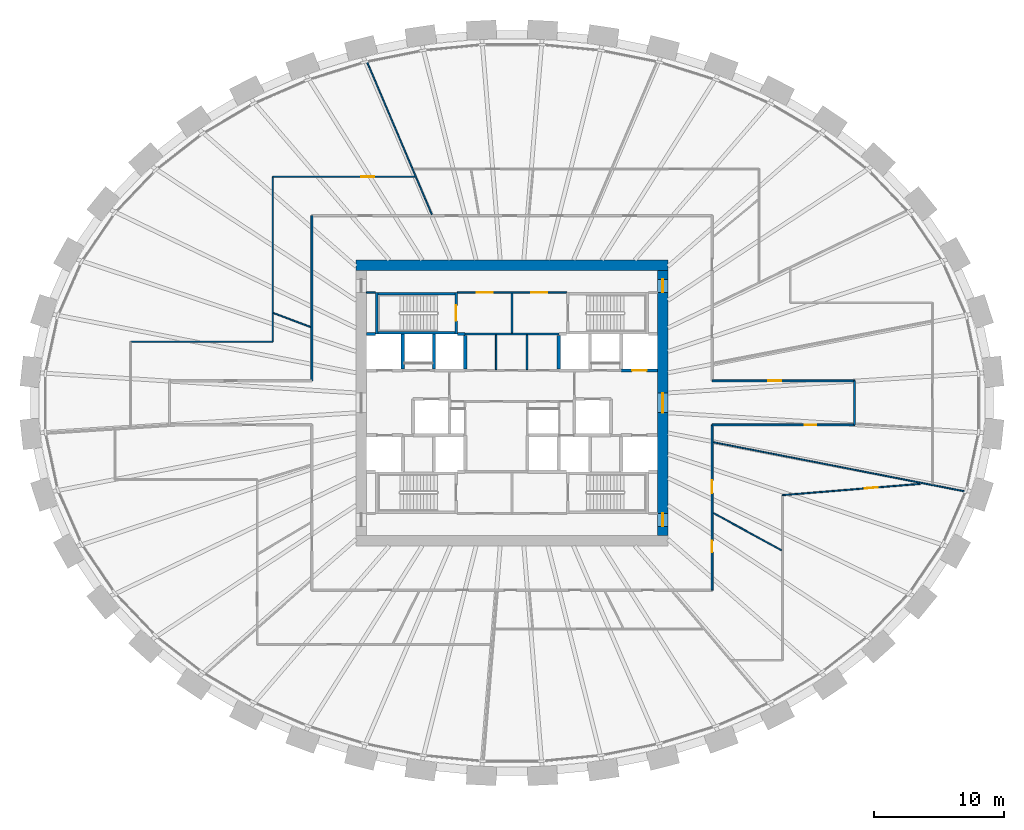
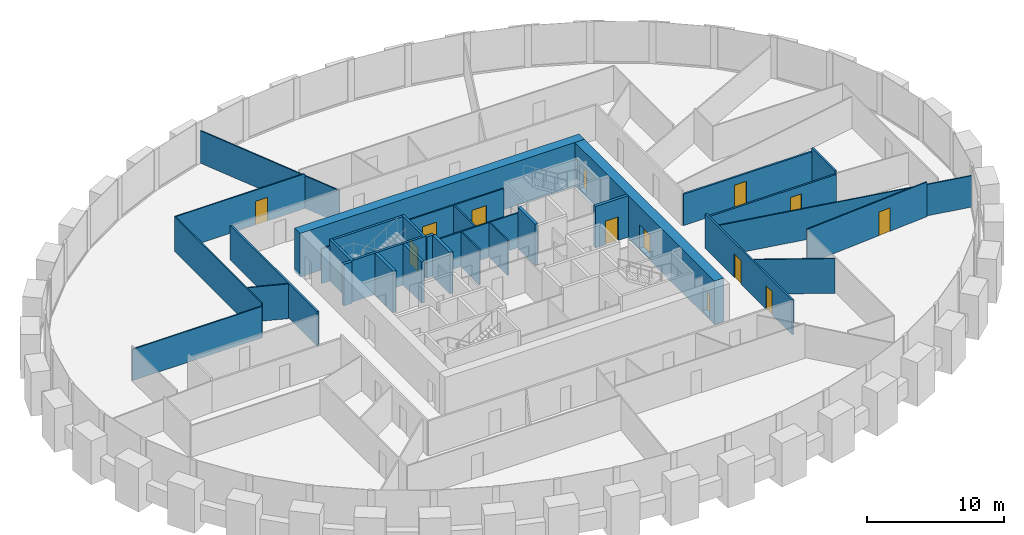
# One storey, part 8 of 10: 32 walls, 13 doors, 13 openings.
"""IFC4 building model written with IfcOpenShell, lengths in metres."""

from ifc_helpers import new_model, si_unit, direction, frame, frame_2d, origin, place, context, subcontext, project, spatial, rectangle, extrude, source, transform, mapped, material, layer, layer_set, type_object, element, fill, save


model = new_model("IFC4")

# Units and contexts
model_context = context("Model", 3, precision=1e-05, world=origin(), true_north=direction((0.0, 1.0)))
body_context = subcontext(model_context, "Body", "Model", "MODEL_VIEW")
ifc_project = project(units=[si_unit("LENGTHUNIT", "METRE"), si_unit("AREAUNIT", "SQUARE_METRE"), si_unit("VOLUMEUNIT", "CUBIC_METRE"), si_unit("PLANEANGLEUNIT", "RADIAN"), si_unit("MASSUNIT", "GRAM", prefix="KILO")], contexts=[model_context])

# Site, building, storey
site_placement = place(None, origin())
site = spatial("IfcSite", under=ifc_project, at=site_placement, CompositionType="ELEMENT")
building_placement = place(site_placement, origin())
building = spatial("IfcBuilding", under=site, at=building_placement, Name="Embergate Tower", CompositionType="ELEMENT")
storey_placement = place(building_placement, frame((0.0, 0.0, 179.39990234375)))
storey = spatial("IfcBuildingStorey", under=building, at=storey_placement, Name="L40", CompositionType="ELEMENT", Elevation=179.39990234375)

# Wall
ifc_material_1 = material(Name="Concrete C70", Category="concrete")
ifc_layer_1 = layer(ifc_material_1, 0.800048828125)
ifc_layer_set_1 = layer_set([ifc_layer_1], Name="Concrete C70")
wall_type_1 = type_object("IfcWallType", Name="Core outer wall C70 800", PredefinedType="SHEAR", material=ifc_layer_set_1)
shared_shape_1 = source(origin(), body_context, "Body", "SweptSolid", [
    extrude(rectangle(XDim=24.0, YDim=0.800048828125, at=frame_2d((12.0, 0.0))), origin(), (0.0, 0.0, 1.0), 3.900146484375),
])
wall_1_placement = place(storey_placement, frame((-12.0, 10.60009765625, -0.199951171875), z_axis=(0.0, 0.0, 1.0), x_axis=(1.0, 0.0, 0.0)))
element("IfcWall", 1, at=wall_1_placement, inside=storey, type_object=wall_type_1, Name="CW-L40-N", PredefinedType="SHEAR", context=body_context, shape_type="MappedRepresentation", body=[
    mapped(shared_shape_1, transform((0.0, 0.0, 0.0))),
])

# Wall, openings, doors
shared_shape_2 = source(origin(), body_context, "Body", "SweptSolid", [
    extrude(rectangle(XDim=20.39990234375, YDim=0.800048828125, at=frame_2d((10.199951171875, 0.0))), origin(), (0.0, 0.0, 1.0), 3.900146484375),
])
wall_2_placement = place(storey_placement, frame((11.60009765625, -10.199951171875, -0.199951171875), z_axis=(0.0, 0.0, 1.0), x_axis=(0.0, 1.0, 0.0)))
wall_2 = element("IfcWall", 2, at=wall_2_placement, inside=storey, type_object=wall_type_1, Name="CW-L40-E", PredefinedType="SHEAR", context=body_context, shape_type="MappedRepresentation", body=[
    mapped(shared_shape_2, transform((0.0, 0.0, 0.0))),
])
shared_shape_3 = source(origin(), body_context, "Body", "SweptSolid", [
    extrude(rectangle(XDim=1.0, YDim=2.10009765625, at=frame_2d((0.5, 1.050048828125))), frame((0.0, 0.409912109375, 0.0), z_axis=(0.0, -1.0, 0.0), x_axis=(1.0, 0.0, 0.0)), (0.0, 0.0, 1.0), 0.820068359375),
])
opening_1_placement = place(wall_2_placement, frame((18.699951171875, 0.0, 0.199951171875)))
opening_1 = element("IfcOpeningElement", 3, at=opening_1_placement, cuts=wall_2, Name="Opening IF-1d", PredefinedType="OPENING", context=body_context, shape_type="MappedRepresentation", body=[
    mapped(shared_shape_3, transform((0.0, 0.0, 0.0))),
])
opening_2_placement = place(wall_2_placement, frame((0.699951171875, 0.0, 0.199951171875)))
opening_2 = element("IfcOpeningElement", 4, at=opening_2_placement, cuts=wall_2, Name="Opening IF-1d", PredefinedType="OPENING", context=body_context, shape_type="MappedRepresentation", body=[
    mapped(shared_shape_3, transform((0.0, 0.0, 0.0))),
])
shared_shape_4 = source(origin(), body_context, "Body", "SweptSolid", [
    extrude(rectangle(XDim=1.5, YDim=2.10009765625, at=frame_2d((0.75, 1.050048828125))), frame((0.0, 0.409912109375, 0.0), z_axis=(0.0, -1.0, 0.0), x_axis=(1.0, 0.0, 0.0)), (0.0, 0.0, 1.0), 0.820068359375),
])
opening_3_placement = place(wall_2_placement, frame((9.449951171875, 0.0, 0.199951171875)))
opening_3 = element("IfcOpeningElement", 5, at=opening_3_placement, cuts=wall_2, Name="Opening IF-3", PredefinedType="OPENING", context=body_context, shape_type="MappedRepresentation", body=[
    mapped(shared_shape_4, transform((0.0, 0.0, 0.0))),
])
ifc_material_2 = material(Name="Lobby fire door pair 1500")
door_type_1 = type_object("IfcDoorType", Name="Lobby fire door pair 1500", OperationType="DOUBLE_DOOR_SINGLE_SWING", PredefinedType="DOOR", material=ifc_material_2)
shared_shape_5 = source(origin(), body_context, "Body", "SweptSolid", [
    extrude(rectangle(XDim=1.5, YDim=2.10009765625, at=frame_2d((0.75, 1.050048828125))), frame((0.0, 0.02490234375, 0.0), z_axis=(0.0, -1.0, 0.0), x_axis=(1.0, 0.0, 0.0)), (0.0, 0.0, 1.0), 0.050048828125),
])
door_1_placement = place(opening_3_placement, origin())
door_1 = element("IfcDoor", 6, at=door_1_placement, inside=storey, type_object=door_type_1, Name="IF-3 door", OperationType="DOUBLE_DOOR_SINGLE_SWING", OverallHeight=2.10009765625, OverallWidth=1.5, PredefinedType="DOOR", context=body_context, shape_type="MappedRepresentation", body=[
    mapped(shared_shape_5, transform((0.0, 0.0, 0.0))),
])
fill(opening_3, door_1)
ifc_material_3 = material(Name="Escape fire door 1000")
door_type_2 = type_object("IfcDoorType", Name="Escape fire door 1000", OperationType="SINGLE_SWING_LEFT", PredefinedType="DOOR", material=ifc_material_3)
shared_shape_6 = source(origin(), body_context, "Body", "SweptSolid", [
    extrude(rectangle(XDim=1.0, YDim=2.10009765625, at=frame_2d((0.5, 1.050048828125))), frame((0.0, 0.02490234375, 0.0), z_axis=(0.0, -1.0, 0.0), x_axis=(1.0, 0.0, 0.0)), (0.0, 0.0, 1.0), 0.050048828125),
])
door_2_placement = place(opening_1_placement, origin())
door_2 = element("IfcDoor", 7, at=door_2_placement, inside=storey, type_object=door_type_2, Name="IF-1 door", OperationType="SINGLE_SWING_LEFT", OverallHeight=2.10009765625, OverallWidth=1.0, PredefinedType="DOOR", context=body_context, shape_type="MappedRepresentation", body=[
    mapped(shared_shape_6, transform((0.0, 0.0, 0.0))),
])
fill(opening_1, door_2)
door_3_placement = place(opening_2_placement, origin())
door_3 = element("IfcDoor", 8, at=door_3_placement, inside=storey, type_object=door_type_2, Name="IF-1 door", OperationType="SINGLE_SWING_LEFT", OverallHeight=2.10009765625, OverallWidth=1.0, PredefinedType="DOOR", context=body_context, shape_type="MappedRepresentation", body=[
    mapped(shared_shape_6, transform((0.0, 0.0, 0.0))),
])
fill(opening_2, door_3)

ifc_material_4 = material(Name="Core partition blockwork 120")
ifc_layer_2 = layer(ifc_material_4, 0.1201171875)
ifc_layer_set_2 = layer_set([ifc_layer_2], Name="Core partition blockwork 120")
wall_type_2 = type_object("IfcWallType", Name="Core partition blockwork 120", PredefinedType="PARTITIONING", material=ifc_layer_set_2)
shared_shape_7 = source(origin(), body_context, "Body", "SweptSolid", [
    extrude(rectangle(XDim=8.39990234375, YDim=0.1201171875, at=frame_2d((4.199951171875, 0.0))), origin(), (0.0, 0.0, 1.0), 3.10009765625),
])
wall_3_placement = place(storey_placement, frame((4.199951171875, 8.5, 0.0), z_axis=(0.0, 0.0, 1.0), x_axis=(-1.0, 0.0, 0.0)))
wall_3 = element("IfcWall", 9, at=wall_3_placement, inside=storey, type_object=wall_type_2, Name="IP-3 wall", PredefinedType="PARTITIONING", context=body_context, shape_type="MappedRepresentation", body=[
    mapped(shared_shape_7, transform((0.0, 0.0, 0.0))),
])
shared_shape_8 = source(origin(), body_context, "Body", "SweptSolid", [
    extrude(rectangle(XDim=1.199951171875, YDim=2.10009765625, at=frame_2d((0.60009765625, 1.050048828125))), frame((0.0, 0.070068359375, 0.0), z_axis=(0.0, -1.0, 0.0), x_axis=(1.0, 0.0, 0.0)), (0.0, 0.0, 1.0), 0.14013671875),
])
opening_4_placement = place(wall_3_placement, frame((5.699951171875, 0.0, 0.0)))
opening_4 = element("IfcOpeningElement", 10, at=opening_4_placement, cuts=wall_3, Name="Opening IF-3f", PredefinedType="OPENING", context=body_context, shape_type="MappedRepresentation", body=[
    mapped(shared_shape_8, transform((0.0, 0.0, 0.0))),
])
opening_5_placement = place(wall_3_placement, frame((1.5, 0.0, 0.0)))
opening_5 = element("IfcOpeningElement", 11, at=opening_5_placement, cuts=wall_3, Name="Opening IF-3f", PredefinedType="OPENING", context=body_context, shape_type="MappedRepresentation", body=[
    mapped(shared_shape_8, transform((0.0, 0.0, 0.0))),
])
ifc_material_5 = material(Name="Lobby fire door pair 1200")
door_type_3 = type_object("IfcDoorType", Name="Lobby fire door pair 1200", OperationType="DOUBLE_DOOR_SINGLE_SWING", PredefinedType="DOOR", material=ifc_material_5)
shared_shape_9 = source(origin(), body_context, "Body", "SweptSolid", [
    extrude(rectangle(XDim=1.199951171875, YDim=2.10009765625, at=frame_2d((0.60009765625, 1.050048828125))), frame((0.0, 0.02490234375, 0.0), z_axis=(0.0, -1.0, 0.0), x_axis=(1.0, 0.0, 0.0)), (0.0, 0.0, 1.0), 0.050048828125),
])
door_4_placement = place(opening_4_placement, origin())
door_4 = element("IfcDoor", 12, at=door_4_placement, inside=storey, type_object=door_type_3, Name="IF-3 door", OperationType="DOUBLE_DOOR_SINGLE_SWING", OverallHeight=2.10009765625, OverallWidth=1.199951171875, PredefinedType="DOOR", context=body_context, shape_type="MappedRepresentation", body=[
    mapped(shared_shape_9, transform((0.0, 0.0, 0.0))),
])
fill(opening_4, door_4)
door_5_placement = place(opening_5_placement, origin())
door_5 = element("IfcDoor", 13, at=door_5_placement, inside=storey, type_object=door_type_3, Name="IF-3 door", OperationType="DOUBLE_DOOR_SINGLE_SWING", OverallHeight=2.10009765625, OverallWidth=1.199951171875, PredefinedType="DOOR", context=body_context, shape_type="MappedRepresentation", body=[
    mapped(shared_shape_9, transform((0.0, 0.0, 0.0))),
])
fill(opening_5, door_5)

# Walls
shared_shape_10 = source(origin(), body_context, "Body", "SweptSolid", [
    extrude(rectangle(XDim=2.679931640625, YDim=0.1201171875, at=frame_2d((1.33984375, 0.0))), origin(), (0.0, 0.0, 1.0), 3.10009765625),
])
for number, where, z_axis, x_axis, name in (
    (14, (-1.22412109375, 2.56005859375, 0.0), (0.0, 0.0, 1.0), (0.0, 1.0, 0.0), "IP-3 wall"),
    (15, (1.152099609375, 2.56005859375, 0.0), (0.0, 0.0, 1.0), (0.0, 1.0, 0.0), "IP-3 wall"),
):
    element("IfcWall", number, at=place(storey_placement, frame(where, z_axis=z_axis, x_axis=x_axis)), inside=storey, type_object=wall_type_2, Name=name, PredefinedType="PARTITIONING", context=body_context, shape_type="MappedRepresentation", body=[
        mapped(shared_shape_10, transform((0.0, 0.0, 0.0))),
    ])
ifc_material_6 = material(Name="Concrete C50", Category="concrete")
ifc_layer_3 = layer(ifc_material_6, 0.25)
ifc_layer_set_3 = layer_set([ifc_layer_3], Name="Concrete C50")
wall_type_3 = type_object("IfcWallType", Name="Hoistway wall reinforced concrete 250", PredefinedType="SHEAR", material=ifc_layer_set_3)
shared_shape_11 = source(origin(), body_context, "Body", "SweptSolid", [
    extrude(rectangle(XDim=2.675048828125, YDim=0.25, at=frame_2d((1.33740234375, 0.0))), origin(), (0.0, 0.0, 1.0), 3.7001953125),
])
for number, where, z_axis, x_axis, name in (
    (16, (-8.39990234375, 2.625, 0.0), (0.0, 0.0, 1.0), (0.0, 1.0, 0.0), "HW-1 wall"),
    (17, (-6.0, 2.625, 0.0), (0.0, 0.0, 1.0), (0.0, 1.0, 0.0), "HW-1 wall"),
):
    element("IfcWall", number, at=place(storey_placement, frame(where, z_axis=z_axis, x_axis=x_axis)), inside=storey, type_object=wall_type_3, Name=name, PredefinedType="SHEAR", context=body_context, shape_type="MappedRepresentation", body=[
        mapped(shared_shape_11, transform((0.0, 0.0, 0.0))),
    ])
ifc_layer_4 = layer(ifc_material_6, 0.199951171875)
ifc_layer_set_4 = layer_set([ifc_layer_4], Name="Concrete C50")
wall_type_4 = type_object("IfcWallType", Name="Stair enclosure wall reinforced concrete 250", PredefinedType="SHEAR", material=ifc_layer_set_4)
shared_shape_12 = source(origin(), body_context, "Body", "SweptSolid", [
    extrude(rectangle(XDim=6.300048828125, YDim=0.199951171875, at=frame_2d((3.14990234375, 0.0))), origin(), (0.0, 0.0, 1.0), 3.7001953125),
])
for number, where, z_axis, x_axis, name in (
    (18, (-4.199951171875, 5.39990234375, 0.0), (0.0, 0.0, 1.0), (-1.0, 0.0, 0.0), "SE-1 wall"),
    (19, (-4.199951171875, 8.39990234375, 0.0), (0.0, 0.0, 1.0), (-1.0, 0.0, 0.0), "SE-1 wall"),
):
    element("IfcWall", number, at=place(storey_placement, frame(where, z_axis=z_axis, x_axis=x_axis)), inside=storey, type_object=wall_type_4, Name=name, PredefinedType="SHEAR", context=body_context, shape_type="MappedRepresentation", body=[
        mapped(shared_shape_12, transform((0.0, 0.0, 0.0))),
    ])
shared_shape_13 = source(origin(), body_context, "Body", "SweptSolid", [
    extrude(rectangle(XDim=2.550048828125, YDim=0.25, at=frame_2d((1.27490234375, 0.0))), origin(), (0.0, 0.0, 1.0), 3.7001953125),
])
for number, where, z_axis, x_axis, name in (
    (20, (-3.60009765625, 2.625, 0.0), (0.0, 0.0, 1.0), (0.0, 1.0, 0.0), "HW-1 wall"),
    (21, (3.60009765625, 5.175048828125, 0.0), (0.0, 0.0, 1.0), (0.0, -1.0, 0.0), "HW-1 wall"),
):
    element("IfcWall", number, at=place(storey_placement, frame(where, z_axis=z_axis, x_axis=x_axis)), inside=storey, type_object=wall_type_3, Name=name, PredefinedType="SHEAR", context=body_context, shape_type="MappedRepresentation", body=[
        mapped(shared_shape_13, transform((0.0, 0.0, 0.0))),
    ])

# Wall, opening, door
shared_shape_14 = source(origin(), body_context, "Body", "SweptSolid", [
    extrude(rectangle(XDim=3.199951171875, YDim=0.199951171875, at=frame_2d((1.60009765625, 0.0))), origin(), (0.0, 0.0, 1.0), 3.7001953125),
])
wall_4_placement = place(storey_placement, frame((-4.300048828125, 5.300048828125, 0.0), z_axis=(0.0, 0.0, 1.0), x_axis=(0.0, 1.0, 0.0)))
wall_4 = element("IfcWall", 22, at=wall_4_placement, inside=storey, type_object=wall_type_4, Name="SE-1 wall", PredefinedType="SHEAR", context=body_context, shape_type="MappedRepresentation", body=[
    mapped(shared_shape_14, transform((0.0, 0.0, 0.0))),
])
shared_shape_15 = source(origin(), body_context, "Body", "SweptSolid", [
    extrude(rectangle(XDim=1.199951171875, YDim=2.10009765625, at=frame_2d((0.60009765625, 1.050048828125))), frame((0.0, 0.10986328125, 0.0), z_axis=(0.0, -1.0, 0.0), x_axis=(1.0, 0.0, 0.0)), (0.0, 0.0, 1.0), 0.219970703125),
])
opening_6_placement = place(wall_4_placement, frame((1.0, 0.0, 0.0)))
opening_6 = element("IfcOpeningElement", 23, at=opening_6_placement, cuts=wall_4, Name="Opening IF-2", PredefinedType="OPENING", context=body_context, shape_type="MappedRepresentation", body=[
    mapped(shared_shape_15, transform((0.0, 0.0, 0.0))),
])
ifc_material_7 = material(Name="Stair enclosure door 1200")
door_type_4 = type_object("IfcDoorType", Name="Stair enclosure door 1200", OperationType="SINGLE_SWING_LEFT", PredefinedType="DOOR", material=ifc_material_7)
door_6_placement = place(opening_6_placement, origin())
door_6 = element("IfcDoor", 24, at=door_6_placement, inside=storey, type_object=door_type_4, Name="IF-2 door", OperationType="SINGLE_SWING_RIGHT", OverallHeight=2.10009765625, OverallWidth=1.199951171875, PredefinedType="DOOR", context=body_context, shape_type="MappedRepresentation", body=[
    mapped(shared_shape_9, transform((0.0, 0.0, 0.0))),
])
fill(opening_6, door_6)

# Walls
shared_shape_16 = source(origin(), body_context, "Body", "SweptSolid", [
    extrude(rectangle(XDim=7.2001953125, YDim=0.1201171875, at=frame_2d((3.60009765625, 0.0))), origin(), (0.0, 0.0, 1.0), 3.10009765625),
])
wall_5_placement = place(storey_placement, frame((-3.60009765625, 5.300048828125, 0.0), z_axis=(0.0, 0.0, 1.0), x_axis=(1.0, 0.0, 0.0)))
element("IfcWall", 25, at=wall_5_placement, inside=storey, type_object=wall_type_2, Name="IP-3 wall", PredefinedType="PARTITIONING", context=body_context, shape_type="MappedRepresentation", body=[
    mapped(shared_shape_16, transform((0.0, 0.0, 0.0))),
])
shared_shape_17 = source(origin(), body_context, "Body", "SweptSolid", [
    extrude(rectangle(XDim=3.079833984375, YDim=0.1201171875, at=frame_2d((1.5400390625, 0.0))), origin(), (0.0, 0.0, 1.0), 3.10009765625),
])
wall_6_placement = place(storey_placement, frame((0.0, 5.360107421875, 0.0), z_axis=(0.0, 0.0, 1.0), x_axis=(0.0, 1.0, 0.0)))
element("IfcWall", 26, at=wall_6_placement, inside=storey, type_object=wall_type_2, Name="IP-3 wall", PredefinedType="PARTITIONING", context=body_context, shape_type="MappedRepresentation", body=[
    mapped(shared_shape_17, transform((0.0, 0.0, 0.0))),
])
shared_shape_18 = source(origin(), body_context, "Body", "SweptSolid", [
    extrude(rectangle(XDim=0.697998046875, YDim=0.1201171875, at=frame_2d((0.34912109375, 0.0))), origin(), (0.0, 0.0, 1.0), 3.10009765625),
])
wall_7_placement = place(storey_placement, frame((-11.199951171875, 8.5, 0.0), z_axis=(0.0, 0.0, 1.0), x_axis=(1.0, 0.0, 0.0)))
element("IfcWall", 27, at=wall_7_placement, inside=storey, type_object=wall_type_2, Name="IP-3 wall", PredefinedType="PARTITIONING", context=body_context, shape_type="MappedRepresentation", body=[
    mapped(shared_shape_18, transform((0.0, 0.0, 0.0))),
])

# Wall, opening, door
shared_shape_19 = source(origin(), body_context, "Body", "SweptSolid", [
    extrude(rectangle(XDim=2.800048828125, YDim=0.25, at=frame_2d((1.39990234375, 0.0))), origin(), (0.0, 0.0, 1.0), 3.7001953125),
])
wall_8_placement = place(storey_placement, frame((8.39990234375, 2.5, 0.0), z_axis=(0.0, 0.0, 1.0), x_axis=(1.0, 0.0, 0.0)))
wall_8 = element("IfcWall", 28, at=wall_8_placement, inside=storey, type_object=wall_type_3, Name="HW-1 wall", PredefinedType="SHEAR", context=body_context, shape_type="MappedRepresentation", body=[
    mapped(shared_shape_19, transform((0.0, 0.0, 0.0))),
])
shared_shape_20 = source(origin(), body_context, "Body", "SweptSolid", [
    extrude(rectangle(XDim=1.10009765625, YDim=2.10009765625, at=frame_2d((0.550048828125, 1.050048828125))), frame((0.0, 0.135009765625, 0.0), z_axis=(0.0, -1.0, 0.0), x_axis=(1.0, 0.0, 0.0)), (0.0, 0.0, 1.0), 0.27001953125),
])
opening_7_placement = place(wall_8_placement, frame((0.85009765625, 0.0, 0.0)))
opening_7 = element("IfcOpeningElement", 29, at=opening_7_placement, cuts=wall_8, Name="Opening LD", PredefinedType="OPENING", context=body_context, shape_type="MappedRepresentation", body=[
    mapped(shared_shape_20, transform((0.0, 0.0, 0.0))),
])
ifc_material_8 = material(Name="Landing door sliding 1100")
door_type_5 = type_object("IfcDoorType", Name="Landing door sliding 1100", OperationType="SLIDING_TO_LEFT", PredefinedType="DOOR", material=ifc_material_8)
shared_shape_21 = source(origin(), body_context, "Body", "SweptSolid", [
    extrude(rectangle(XDim=1.10009765625, YDim=2.10009765625, at=frame_2d((0.550048828125, 1.050048828125))), frame((0.0, 0.02490234375, 0.0), z_axis=(0.0, -1.0, 0.0), x_axis=(1.0, 0.0, 0.0)), (0.0, 0.0, 1.0), 0.050048828125),
])
door_7_placement = place(opening_7_placement, origin())
door_7 = element("IfcDoor", 30, at=door_7_placement, inside=storey, type_object=door_type_5, Name="LD door", OperationType="SLIDING_TO_LEFT", OverallHeight=2.10009765625, OverallWidth=1.10009765625, PredefinedType="DOOR", context=body_context, shape_type="MappedRepresentation", body=[
    mapped(shared_shape_21, transform((0.0, 0.0, 0.0))),
])
fill(opening_7, door_7)

# Walls
shared_shape_22 = source(origin(), body_context, "Body", "SweptSolid", [
    extrude(rectangle(XDim=0.599853515625, YDim=0.25, at=frame_2d((0.2998046875, 0.0))), origin(), (0.0, 0.0, 1.0), 3.7001953125),
])
wall_9_placement = place(storey_placement, frame((-3.60009765625, 5.300048828125, 0.0), z_axis=(0.0, 0.0, 1.0), x_axis=(-1.0, 0.0, 0.0)))
element("IfcWall", 31, at=wall_9_placement, inside=storey, type_object=wall_type_3, Name="HW-1 wall", PredefinedType="SHEAR", context=body_context, shape_type="MappedRepresentation", body=[
    mapped(shared_shape_22, transform((0.0, 0.0, 0.0))),
])
shared_shape_23 = source(origin(), body_context, "Body", "SweptSolid", [
    extrude(rectangle(XDim=3.196044921875, YDim=0.199951171875, at=frame_2d((1.59814453125, 0.0))), origin(), (0.0, 0.0, 1.0), 3.7001953125),
])
wall_10_placement = place(storey_placement, frame((-10.39990234375, 8.498046875, 0.0), z_axis=(0.0, 0.0, 1.0), x_axis=(0.0, -1.0, 0.0)))
element("IfcWall", 32, at=wall_10_placement, inside=storey, type_object=wall_type_4, Name="SE-1 wall", PredefinedType="SHEAR", context=body_context, shape_type="MappedRepresentation", body=[
    mapped(shared_shape_23, transform((0.0, 0.0, 0.0))),
])
shared_shape_24 = source(origin(), body_context, "Body", "SweptSolid", [
    extrude(rectangle(XDim=0.697998046875, YDim=0.25, at=frame_2d((0.34912109375, 0.0))), origin(), (0.0, 0.0, 1.0), 3.7001953125),
])
wall_11_placement = place(storey_placement, frame((-10.501953125, 5.300048828125, 0.0), z_axis=(0.0, 0.0, 1.0), x_axis=(-1.0, 0.0, 0.0)))
element("IfcWall", 33, at=wall_11_placement, inside=storey, type_object=wall_type_3, Name="HW-1 wall", PredefinedType="SHEAR", context=body_context, shape_type="MappedRepresentation", body=[
    mapped(shared_shape_24, transform((0.0, 0.0, 0.0))),
])

# Wall, opening, door
ifc_material_9 = material(Name="Corridor wall dry-lined 150")
ifc_layer_5 = layer(ifc_material_9, 0.14990234375)
ifc_layer_set_5 = layer_set([ifc_layer_5], Name="Corridor wall dry-lined 150")
wall_type_5 = type_object("IfcWallType", Name="Corridor wall dry-lined 150", PredefinedType="PARTITIONING", material=ifc_layer_set_5)
shared_shape_25 = source(origin(), body_context, "Body", "SweptSolid", [
    extrude(rectangle(XDim=10.9501953125, YDim=0.14990234375, at=frame_2d((5.47509765625, 0.0))), origin(), (0.0, 0.0, 1.0), 2.800048828125),
])
wall_12_placement = place(storey_placement, frame((26.35009765625, -1.699951171875, 0.0), z_axis=(0.0, 0.0, 1.0), x_axis=(-1.0, 0.0, 0.0)))
wall_12 = element("IfcWall", 34, at=wall_12_placement, inside=storey, type_object=wall_type_5, Name="IP-2 wall", PredefinedType="PARTITIONING", context=body_context, shape_type="MappedRepresentation", body=[
    mapped(shared_shape_25, transform((0.0, 0.0, 0.0))),
])
shared_shape_26 = source(origin(), body_context, "Body", "SweptSolid", [
    extrude(rectangle(XDim=0.89990234375, YDim=2.10009765625, at=frame_2d((0.449951171875, 1.050048828125))), frame((0.0, 0.0849609375, 0.0), z_axis=(0.0, -1.0, 0.0), x_axis=(1.0, 0.0, 0.0)), (0.0, 0.0, 1.0), 0.169921875),
])
opening_8_placement = place(wall_12_placement, frame((2.946044921875, 0.0, 0.0)))
opening_8 = element("IfcOpeningElement", 35, at=opening_8_placement, cuts=wall_12, Name="Opening IF-1c", PredefinedType="OPENING", context=body_context, shape_type="MappedRepresentation", body=[
    mapped(shared_shape_26, transform((0.0, 0.0, 0.0))),
])
ifc_material_10 = material(Name="Escape fire door 900")
door_type_6 = type_object("IfcDoorType", Name="Escape fire door 900", OperationType="SINGLE_SWING_LEFT", PredefinedType="DOOR", material=ifc_material_10)
shared_shape_27 = source(origin(), body_context, "Body", "SweptSolid", [
    extrude(rectangle(XDim=0.89990234375, YDim=2.10009765625, at=frame_2d((0.449951171875, 1.050048828125))), frame((0.0, 0.02490234375, 0.0), z_axis=(0.0, -1.0, 0.0), x_axis=(1.0, 0.0, 0.0)), (0.0, 0.0, 1.0), 0.050048828125),
])
door_8_placement = place(opening_8_placement, origin())
door_8 = element("IfcDoor", 36, at=door_8_placement, inside=storey, type_object=door_type_6, Name="IF-1 door", OperationType="SINGLE_SWING_LEFT", OverallHeight=2.10009765625, OverallWidth=0.89990234375, PredefinedType="DOOR", context=body_context, shape_type="MappedRepresentation", body=[
    mapped(shared_shape_27, transform((0.0, 0.0, 0.0))),
])
fill(opening_8, door_8)

wall_13_placement = place(storey_placement, frame((15.39990234375, 1.699951171875, 0.0), z_axis=(0.0, 0.0, 1.0), x_axis=(1.0, 0.0, 0.0)))
wall_13 = element("IfcWall", 37, at=wall_13_placement, inside=storey, type_object=wall_type_5, Name="IP-2 wall", PredefinedType="PARTITIONING", context=body_context, shape_type="MappedRepresentation", body=[
    mapped(shared_shape_25, transform((0.0, 0.0, 0.0))),
])
shared_shape_28 = source(origin(), body_context, "Body", "SweptSolid", [
    extrude(rectangle(XDim=1.0, YDim=2.10009765625, at=frame_2d((0.5, 1.050048828125))), frame((0.0, 0.0849609375, 0.0), z_axis=(0.0, -1.0, 0.0), x_axis=(1.0, 0.0, 0.0)), (0.0, 0.0, 1.0), 0.169921875),
])
opening_9_placement = place(wall_13_placement, frame((4.321044921875, 0.0, 0.0)))
opening_9 = element("IfcOpeningElement", 38, at=opening_9_placement, cuts=wall_13, Name="Opening ID-2", PredefinedType="OPENING", context=body_context, shape_type="MappedRepresentation", body=[
    mapped(shared_shape_28, transform((0.0, 0.0, 0.0))),
])
ifc_material_11 = material(Name="Interior door 1000")
door_type_7 = type_object("IfcDoorType", Name="Interior door 1000", OperationType="SINGLE_SWING_LEFT", PredefinedType="DOOR", material=ifc_material_11)
door_9_placement = place(opening_9_placement, origin())
door_9 = element("IfcDoor", 39, at=door_9_placement, inside=storey, type_object=door_type_7, Name="ID-2 door", OperationType="SINGLE_SWING_LEFT", OverallHeight=2.10009765625, OverallWidth=1.0, PredefinedType="DOOR", context=body_context, shape_type="MappedRepresentation", body=[
    mapped(shared_shape_6, transform((0.0, 0.0, 0.0))),
])
fill(opening_9, door_9)

# Wall
ifc_material_12 = material(Name="Partition dry-lined 100")
ifc_layer_6 = layer(ifc_material_12, 0.10009765625)
ifc_layer_set_6 = layer_set([ifc_layer_6], Name="Partition dry-lined 100")
wall_type_6 = type_object("IfcWallType", Name="Partition dry-lined 100", PredefinedType="PARTITIONING", material=ifc_layer_set_6)
shared_shape_29 = source(origin(), body_context, "Body", "SweptSolid", [
    extrude(rectangle(XDim=10.9501953125, YDim=0.10009765625, at=frame_2d((5.47509765625, 0.0))), origin(), (0.0, 0.0, 1.0), 2.800048828125),
])
wall_14_placement = place(storey_placement, frame((-18.39990234375, 4.699951171875, 0.0), z_axis=(0.0, 0.0, 1.0), x_axis=(-1.0, 0.0, 0.0)))
element("IfcWall", 40, at=wall_14_placement, inside=storey, type_object=wall_type_6, Name="IP-1 wall", PredefinedType="PARTITIONING", context=body_context, shape_type="MappedRepresentation", body=[
    mapped(shared_shape_29, transform((0.0, 0.0, 0.0))),
])

# Wall, openings, doors
shared_shape_30 = source(origin(), body_context, "Body", "SweptSolid", [
    extrude(rectangle(XDim=12.699951171875, YDim=0.14990234375, at=frame_2d((6.35009765625, 0.0))), origin(), (0.0, 0.0, 1.0), 3.10009765625),
])
wall_15_placement = place(storey_placement, frame((15.39990234375, -1.699951171875, 0.0), z_axis=(0.0, 0.0, 1.0), x_axis=(0.0, -1.0, 0.0)))
wall_15 = element("IfcWall", 41, at=wall_15_placement, inside=storey, type_object=wall_type_5, Name="IP-2 wall", PredefinedType="PARTITIONING", context=body_context, shape_type="MappedRepresentation", body=[
    mapped(shared_shape_30, transform((0.0, 0.0, 0.0))),
])
opening_10_placement = place(wall_15_placement, frame((8.905029296875, 0.0, 0.0)))
opening_10 = element("IfcOpeningElement", 42, at=opening_10_placement, cuts=wall_15, Name="Opening IF-1c", PredefinedType="OPENING", context=body_context, shape_type="MappedRepresentation", body=[
    mapped(shared_shape_26, transform((0.0, 0.0, 0.0))),
])
opening_11_placement = place(wall_15_placement, frame((4.241943359375, 0.0, 0.0)))
opening_11 = element("IfcOpeningElement", 43, at=opening_11_placement, cuts=wall_15, Name="Opening ID-2", PredefinedType="OPENING", context=body_context, shape_type="MappedRepresentation", body=[
    mapped(shared_shape_28, transform((0.0, 0.0, 0.0))),
])
door_10_placement = place(opening_10_placement, origin())
door_10 = element("IfcDoor", 44, at=door_10_placement, inside=storey, type_object=door_type_6, Name="IF-1 door", OperationType="SINGLE_SWING_LEFT", OverallHeight=2.10009765625, OverallWidth=0.89990234375, PredefinedType="DOOR", context=body_context, shape_type="MappedRepresentation", body=[
    mapped(shared_shape_27, transform((0.0, 0.0, 0.0))),
])
fill(opening_10, door_10)
door_11_placement = place(opening_11_placement, origin())
door_11 = element("IfcDoor", 45, at=door_11_placement, inside=storey, type_object=door_type_7, Name="ID-2 door", OperationType="SINGLE_SWING_RIGHT", OverallHeight=2.10009765625, OverallWidth=1.0, PredefinedType="DOOR", context=body_context, shape_type="MappedRepresentation", body=[
    mapped(shared_shape_6, transform((0.0, 0.0, 0.0))),
])
fill(opening_11, door_11)

# Walls
wall_16_placement = place(storey_placement, frame((-15.39990234375, 1.699951171875, 0.0), z_axis=(0.0, 0.0, 1.0), x_axis=(0.0, 1.0, 0.0)))
element("IfcWall", 46, at=wall_16_placement, inside=storey, type_object=wall_type_5, Name="IP-2 wall", PredefinedType="PARTITIONING", context=body_context, shape_type="MappedRepresentation", body=[
    mapped(shared_shape_30, transform((0.0, 0.0, 0.0))),
])
shared_shape_31 = source(origin(), body_context, "Body", "SweptSolid", [
    extrude(rectangle(XDim=3.39990234375, YDim=0.14990234375, at=frame_2d((1.699951171875, 0.0))), origin(), (0.0, 0.0, 1.0), 3.10009765625),
])
wall_17_placement = place(storey_placement, frame((26.35009765625, 1.699951171875, 0.0), z_axis=(0.0, 0.0, 1.0), x_axis=(0.0, -1.0, 0.0)))
element("IfcWall", 47, at=wall_17_placement, inside=storey, type_object=wall_type_5, Name="IP-2 wall", PredefinedType="PARTITIONING", context=body_context, shape_type="MappedRepresentation", body=[
    mapped(shared_shape_31, transform((0.0, 0.0, 0.0))),
])
shared_shape_32 = source(origin(), body_context, "Body", "SweptSolid", [
    extrude(rectangle(XDim=5.95849609375, YDim=0.10009765625, at=frame_2d((2.979248046875, 0.0))), origin(), (0.0, 0.0, 1.0), 3.10009765625),
])
wall_18_placement = place(storey_placement, frame((15.4990234375, -8.47900390625, 0.0), z_axis=(0.0, 0.0, 1.0), x_axis=(0.877260614166, -0.480014390236, 0.0)))
element("IfcWall", 48, at=wall_18_placement, inside=storey, type_object=wall_type_6, Name="IP-1 wall", PredefinedType="PARTITIONING", context=body_context, shape_type="MappedRepresentation", body=[
    mapped(shared_shape_32, transform((0.0, 0.0, 0.0))),
])
shared_shape_33 = source(origin(), body_context, "Body", "SweptSolid", [
    extrude(rectangle(XDim=12.699951171875, YDim=0.10009765625, at=frame_2d((6.35009765625, 0.0))), origin(), (0.0, 0.0, 1.0), 3.10009765625),
])
wall_19_placement = place(storey_placement, frame((-18.39990234375, 4.699951171875, 0.0), z_axis=(0.0, 0.0, 1.0), x_axis=(0.0, 1.0, 0.0)))
element("IfcWall", 49, at=wall_19_placement, inside=storey, type_object=wall_type_6, Name="IP-1 wall", PredefinedType="PARTITIONING", context=body_context, shape_type="MappedRepresentation", body=[
    mapped(shared_shape_33, transform((0.0, 0.0, 0.0))),
])

# Wall, opening, door
shared_shape_34 = source(origin(), body_context, "Body", "SweptSolid", [
    extrude(rectangle(XDim=10.624267578125, YDim=0.10009765625, at=frame_2d((5.31201171875, 0.0))), origin(), (0.0, 0.0, 1.0), 3.10009765625),
])
wall_20_placement = place(storey_placement, frame((31.388916015625, -6.23388671875, 0.0), z_axis=(0.0, 0.0, 1.0), x_axis=(-0.9966707585, -0.081531583767, 0.0)))
wall_20 = element("IfcWall", 50, at=wall_20_placement, inside=storey, type_object=wall_type_6, Name="IP-1 wall", PredefinedType="PARTITIONING", context=body_context, shape_type="MappedRepresentation", body=[
    mapped(shared_shape_34, transform((0.0, 0.0, 0.0))),
])
shared_shape_35 = source(origin(), body_context, "Body", "SweptSolid", [
    extrude(rectangle(XDim=1.0, YDim=2.10009765625, at=frame_2d((0.5, 1.050048828125))), frame((0.0, 0.06005859375, 0.0), z_axis=(0.0, -1.0, 0.0), x_axis=(1.0, 0.0, 0.0)), (0.0, 0.0, 1.0), 0.1201171875),
])
opening_12_placement = place(wall_20_placement, frame((3.26953125, 0.0, 0.0)))
opening_12 = element("IfcOpeningElement", 51, at=opening_12_placement, cuts=wall_20, Name="Opening ID-2", PredefinedType="OPENING", context=body_context, shape_type="MappedRepresentation", body=[
    mapped(shared_shape_35, transform((0.0, 0.0, 0.0))),
])
door_12_placement = place(opening_12_placement, origin())
door_12 = element("IfcDoor", 52, at=door_12_placement, inside=storey, type_object=door_type_7, Name="ID-2 door", OperationType="SINGLE_SWING_RIGHT", OverallHeight=2.10009765625, OverallWidth=1.0, PredefinedType="DOOR", context=body_context, shape_type="MappedRepresentation", body=[
    mapped(shared_shape_6, transform((0.0, 0.0, 0.0))),
])
fill(opening_12, door_12)

# Walls
shared_shape_36 = source(origin(), body_context, "Body", "SweptSolid", [
    extrude(rectangle(XDim=19.77197265625, YDim=0.10009765625, at=frame_2d((9.885986328125, 0.0))), origin(), (0.0, 0.0, 1.0), 2.800048828125),
])
wall_21_placement = place(storey_placement, frame((34.889892578125, -6.819091796875, 0.0), z_axis=(0.0, 0.0, 1.0), x_axis=(-0.981424811586, 0.191847176689, 0.0)))
element("IfcWall", 53, at=wall_21_placement, inside=storey, type_object=wall_type_6, Name="IP-1 wall", PredefinedType="PARTITIONING", context=body_context, shape_type="MappedRepresentation", body=[
    mapped(shared_shape_36, transform((0.0, 0.0, 0.0))),
])
shared_shape_37 = source(origin(), body_context, "Body", "SweptSolid", [
    extrude(rectangle(XDim=3.034423828125, YDim=0.10009765625, at=frame_2d((1.51708984375, 0.0))), origin(), (0.0, 0.0, 1.0), 3.10009765625),
])
wall_22_placement = place(storey_placement, frame((-15.492919921875, 5.839111328125, 0.0), z_axis=(0.0, 0.0, 1.0), x_axis=(-0.935662883167, 0.352895124737, 0.0)))
element("IfcWall", 54, at=wall_22_placement, inside=storey, type_object=wall_type_6, Name="IP-1 wall", PredefinedType="PARTITIONING", context=body_context, shape_type="MappedRepresentation", body=[
    mapped(shared_shape_37, transform((0.0, 0.0, 0.0))),
])

# Wall, opening, door
shared_shape_38 = source(origin(), body_context, "Body", "SweptSolid", [
    extrude(rectangle(XDim=10.923828125, YDim=0.10009765625, at=frame_2d((5.4619140625, 0.0))), origin(), (0.0, 0.0, 1.0), 3.10009765625),
])
wall_23_placement = place(storey_placement, frame((-18.39990234375, 17.39990234375, 0.0), z_axis=(0.0, 0.0, 1.0), x_axis=(1.0, 0.0, 0.0)))
wall_23 = element("IfcWall", 55, at=wall_23_placement, inside=storey, type_object=wall_type_6, Name="IP-1 wall", PredefinedType="PARTITIONING", context=body_context, shape_type="MappedRepresentation", body=[
    mapped(shared_shape_38, transform((0.0, 0.0, 0.0))),
])
opening_13_placement = place(wall_23_placement, frame((6.785888671875, 0.0, 0.0)))
opening_13 = element("IfcOpeningElement", 56, at=opening_13_placement, cuts=wall_23, Name="Opening ID-2", PredefinedType="OPENING", context=body_context, shape_type="MappedRepresentation", body=[
    mapped(shared_shape_35, transform((0.0, 0.0, 0.0))),
])
door_13_placement = place(opening_13_placement, origin())
door_13 = element("IfcDoor", 57, at=door_13_placement, inside=storey, type_object=door_type_7, Name="ID-2 door", OperationType="SINGLE_SWING_RIGHT", OverallHeight=2.10009765625, OverallWidth=1.0, PredefinedType="DOOR", context=body_context, shape_type="MappedRepresentation", body=[
    mapped(shared_shape_6, transform((0.0, 0.0, 0.0))),
])
fill(opening_13, door_13)

# Wall
shared_shape_39 = source(origin(), body_context, "Body", "SweptSolid", [
    extrude(rectangle(XDim=12.767333984375, YDim=0.10009765625, at=frame_2d((6.3837890625, 0.0))), origin(), (0.0, 0.0, 1.0), 2.900146484375),
])
wall_24_placement = place(storey_placement, frame((-11.162109375, 26.243896484375, 0.0), z_axis=(0.0, 0.0, 1.0), x_axis=(0.391395319475, -0.92022263822, 0.0)))
element("IfcWall", 58, at=wall_24_placement, inside=storey, type_object=wall_type_6, Name="IP-1 wall", PredefinedType="PARTITIONING", context=body_context, shape_type="MappedRepresentation", body=[
    mapped(shared_shape_39, transform((0.0, 0.0, 0.0))),
])

save(model, "model.ifc")
